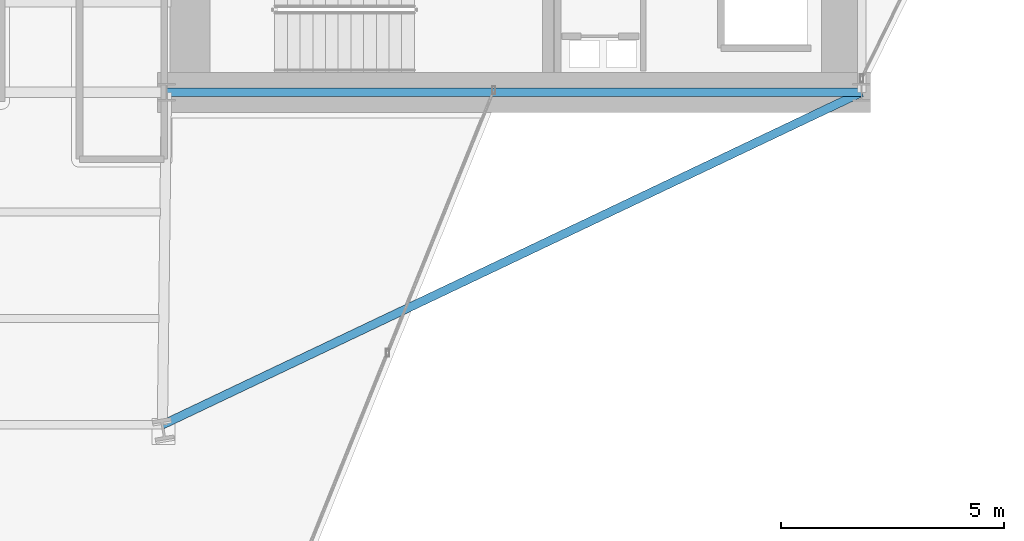
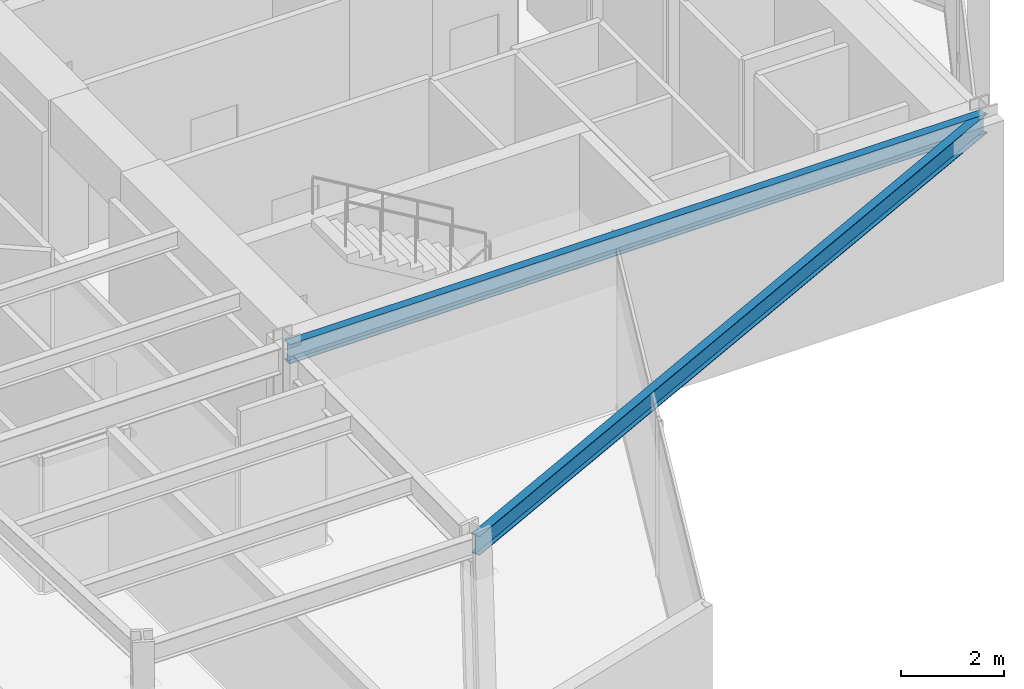
# One storey, part 15 of 31: 2 beams.
"""IFC4 building model written with IfcOpenShell, lengths in metres."""

import ifcopenshell
import ifcopenshell.guid

model = None  # the IFC model being written
_history = None  # IfcOwnerHistory: only IFC2X3 demands one
_inside = {}  # id of a spatial element -> (the spatial element, [elements in it])
_under = {}  # id of a project, library or spatial element -> (it, [spatial elements below it])
_declared = {}  # id of a project -> (the project, [libraries it declares])
_typed = {}  # id of a type object -> (the type object, [elements of that type])
_made_of = {}  # id of a material, layer set ... -> (it, [elements and type objects made of it])


def new_model(schema):
    """Start an empty IFC model of exactly this schema.

    Asked for "IFC4X3", IfcOpenShell would pick the latest addendum, in which some entities
    have other attributes; the version numbers below select the first issue.
    IFC2X3 requires an IfcOwnerHistory on every rooted entity: one is made here for all.
    """
    global model, _history
    if schema == "IFC4X3":
        model = ifcopenshell.file(schema_version=(4, 3, 0, 0))
    else:
        model = ifcopenshell.file(schema=schema)
    _inside.clear()
    _under.clear()
    _declared.clear()
    _typed.clear()
    _made_of.clear()
    _history = None
    if model.schema == "IFC2X3":
        org = make("IfcOrganization", Name="unknown")
        user = make(
            "IfcPersonAndOrganization",
            ThePerson=make("IfcPerson", FamilyName="unknown"),
            TheOrganization=org,
        )
        app = make(
            "IfcApplication",
            ApplicationDeveloper=org,
            Version="unknown",
            ApplicationFullName="unknown",
            ApplicationIdentifier="unknown",
        )
        _history = make(
            "IfcOwnerHistory",
            OwningUser=user,
            OwningApplication=app,
            ChangeAction="ADDED",
            CreationDate=0,
        )
    return model


def make(cls, **values):
    """One entity of the class cls with the attributes given. An attribute that is None is left unset."""
    return model.create_entity(
        cls, **{name: value for name, value in values.items() if value is not None}
    )


def rooted(cls, **values):
    """An entity with a GlobalId (a new one), such as an element, a storey or a relation."""
    return make(cls, GlobalId=ifcopenshell.guid.new(), OwnerHistory=_history, **values)


def si_unit(unit_type, name, prefix=None):
    """IfcSIUnit, for example si_unit("LENGTHUNIT", "METRE", prefix="MILLI")."""
    return make("IfcSIUnit", UnitType=unit_type, Prefix=prefix, Name=name)


def assignment(units):
    """IfcUnitAssignment: the units of a project."""
    return None if units is None else make("IfcUnitAssignment", Units=units)


def point(xyz):
    """IfcCartesianPoint."""
    return None if xyz is None else make("IfcCartesianPoint", Coordinates=xyz)


def direction(xyz):
    """IfcDirection."""
    return None if xyz is None else make("IfcDirection", DirectionRatios=xyz)


def frame(location, z_axis=None, x_axis=None):
    """IfcAxis2Placement3D, a coordinate frame: its origin and axes. An axis left out is left unset."""
    return make(
        "IfcAxis2Placement3D",
        Location=point(location),
        Axis=direction(z_axis),
        RefDirection=direction(x_axis),
    )


def frame_2d(location, x_axis=None):
    """IfcAxis2Placement2D, a coordinate frame in the plane: its origin and x axis."""
    return make(
        "IfcAxis2Placement2D", Location=point(location), RefDirection=direction(x_axis)
    )


def origin():
    """The frame at (0, 0, 0) with its axes left unset."""
    return frame((0.0, 0.0, 0.0))


def origin_2d():
    """The frame at (0, 0) in the plane with its x axis left unset."""
    return frame_2d((0.0, 0.0))


def place(relative_to, where):
    """IfcLocalPlacement: puts the frame where relative to a parent placement (None: the world)."""
    return make(
        "IfcLocalPlacement", PlacementRelTo=relative_to, RelativePlacement=where
    )


def context(
    kind, dimensions, precision=None, world=None, true_north=None, identifier=None
):
    """IfcGeometricRepresentationContext, for example the 3D "Model" context."""
    return make(
        "IfcGeometricRepresentationContext",
        ContextIdentifier=identifier,
        ContextType=kind,
        CoordinateSpaceDimension=dimensions,
        Precision=precision,
        WorldCoordinateSystem=world,
        TrueNorth=true_north,
    )


def subcontext(parent, identifier, kind, view, scale=None):
    """IfcGeometricRepresentationSubContext, for example "Body" below "Model"."""
    return make(
        "IfcGeometricRepresentationSubContext",
        ContextIdentifier=identifier,
        ContextType=kind,
        ParentContext=parent,
        TargetScale=scale,
        TargetView=view,
    )


def project(units=None, contexts=None):
    """IfcProject with its units and contexts."""
    return rooted(
        "IfcProject",
        Name="project",
        RepresentationContexts=contexts,
        UnitsInContext=assignment(units),
    )


def spatial(cls, under=None, at=None, **own):
    """A site, building, storey or space (cls), placed at a placement, below another one or the project."""
    s = rooted(cls, ObjectPlacement=at, **own)
    if under is not None:
        _under.setdefault(under.id(), (under, []))[1].append(s)
    return s


def profile(cls, at=None, kind="AREA", **sizes):
    """A parametric profile (cls). Its sizes go by their IFC names, for example OverallWidth=200.0."""
    return make(cls, ProfileType=kind, Position=at, **sizes)


def i_section(**sizes):
    """IfcIShapeProfileDef."""
    return profile("IfcIShapeProfileDef", **sizes)


def extrude(swept, where, along, depth):
    """IfcExtrudedAreaSolid: the profile swept, set in the frame where, extruded along a direction by depth."""
    return make(
        "IfcExtrudedAreaSolid",
        SweptArea=swept,
        Position=where,
        ExtrudedDirection=direction(along),
        Depth=depth,
    )


def shape(context_of_items, identifier, shape_type, items):
    """IfcShapeRepresentation: the items that make up one representation, for example the "Body"."""
    return make(
        "IfcShapeRepresentation",
        ContextOfItems=context_of_items,
        RepresentationIdentifier=identifier,
        RepresentationType=shape_type,
        Items=items,
    )


def material(Name=None, Category=None):
    """IfcMaterial."""
    return make("IfcMaterial", Name=Name, Category=Category)


def material_profile(
    of_material, cross_section, Name=None, Category=None, Priority=None
):
    """IfcMaterialProfile: a cross section and its material."""
    return make(
        "IfcMaterialProfile",
        Name=Name,
        Material=of_material,
        Profile=cross_section,
        Priority=Priority,
        Category=Category,
    )


def profile_set(profiles, Name=None, composite=None):
    """IfcMaterialProfileSet."""
    return make(
        "IfcMaterialProfileSet",
        Name=Name,
        MaterialProfiles=profiles,
        CompositeProfile=composite,
    )


def made_of(thing, what):
    """Note that an element or type object is made of a material, layer set ...; save() writes the relation."""
    if what is not None:
        _made_of.setdefault(what.id(), (what, []))[1].append(thing)
    return thing


def type_object(cls, material=None, **own):
    """A type object (cls), such as IfcWallType, which elements share."""
    return made_of(rooted(cls, **own), material)


def element(
    cls,
    number,
    at=None,
    inside=None,
    cuts=None,
    type_object=None,
    material=None,
    context=None,
    identifier="Body",
    shape_type=None,
    held_by="IfcProductDefinitionShape",
    body=None,
    shapes=None,
    **own,
):
    """One element of the class cls, such as IfcWall. Its Tag is "e" and its number.

    at: its placement. inside: the storey or other place that contains it. cuts: it is an
    opening in that element (IfcRelVoidsElement). A single representation is given by context,
    identifier, shape_type and body (its items); several are given by shapes. held_by: the class
    of the entity that holds the representations. save() writes the other relations.
    """
    e = rooted(cls, Tag="e%d" % number, ObjectPlacement=at, **own)
    if body is not None:
        shapes = [shape(context, identifier, shape_type, body)]
    if shapes is not None:
        e.Representation = make(held_by, Representations=shapes)
    if inside is not None:
        _inside.setdefault(inside.id(), (inside, []))[1].append(e)
    if cuts is not None:
        rooted(
            "IfcRelVoidsElement", RelatingBuildingElement=cuts, RelatedOpeningElement=e
        )
    if type_object is not None:
        _typed.setdefault(type_object.id(), (type_object, []))[1].append(e)
    return made_of(e, material)


def aggregate(whole, parts):
    """IfcRelAggregates: a whole, such as a stair, and the parts it consists of."""
    return rooted("IfcRelAggregates", RelatingObject=whole, RelatedObjects=parts)


def save(model, path):
    """Write the relations noted so far, then the file.

    IfcRelAggregates (storeys below a building ...), IfcRelContainedInSpatialStructure (elements
    in a storey), IfcRelDefinesByType, IfcRelAssociatesMaterial and IfcRelDeclares: one each for
    every whole, place, type object, material and project.
    """
    for whole, parts in _under.values():
        aggregate(whole, parts)
    for where, things in _inside.values():
        rooted(
            "IfcRelContainedInSpatialStructure",
            RelatedElements=things,
            RelatingStructure=where,
        )
    for kind, things in _typed.values():
        rooted("IfcRelDefinesByType", RelatedObjects=things, RelatingType=kind)
    for what, things in _made_of.values():
        rooted("IfcRelAssociatesMaterial", RelatedObjects=things, RelatingMaterial=what)
    for by, libraries in _declared.values():
        rooted("IfcRelDeclares", RelatingContext=by, RelatedDefinitions=libraries)
    model.write(path)


model = new_model("IFC4")

# Units and contexts
model_context = context("Model", 3, precision=1e-05, world=origin(), true_north=direction((0.0, 1.0)))
body_context = subcontext(model_context, "Body", "Model", "MODEL_VIEW")
ifc_project = project(units=[si_unit("LENGTHUNIT", "METRE"), si_unit("AREAUNIT", "SQUARE_METRE"), si_unit("VOLUMEUNIT", "CUBIC_METRE"), si_unit("PLANEANGLEUNIT", "RADIAN"), si_unit("MASSUNIT", "GRAM", prefix="KILO")], contexts=[model_context])

# Site, building, storey
site_placement = place(None, origin())
site = spatial("IfcSite", under=ifc_project, at=site_placement, CompositionType="ELEMENT")
building_placement = place(site_placement, origin())
building = spatial("IfcBuilding", under=site, at=building_placement, Name="Veymaron Broadcast Tower", CompositionType="ELEMENT")
storey_placement = place(building_placement, frame((0.0, 0.0, 70.199951171875)))
storey = spatial("IfcBuildingStorey", under=building, at=storey_placement, Name="L15", CompositionType="ELEMENT", Elevation=70.199951171875)

# Beams
ifc_material = material(Name="Structural steel ASTM A992 Gr 50", Category="steel")
ifc_material_profile = material_profile(ifc_material, i_section(OverallWidth=0.19091796875, OverallDepth=0.4599609375, WebThickness=0.010009765625, FlangeThickness=0.01611328125, at=origin_2d()), Name="W460X82")
ifc_profile_set = profile_set([ifc_material_profile], Name="Structural steel ASTM A992 Gr 50")
beam_type = type_object("IfcBeamType", Name="BM-SP1", PredefinedType="SPANDREL", material=ifc_profile_set)
beam_1_placement = place(storey_placement, frame((39.0, 16.0, 3.580078125), z_axis=(1.0, 0.0, 0.0), x_axis=(0.0, 1.0, 0.0)))
element("IfcBeam", 1, at=beam_1_placement, inside=storey, type_object=beam_type, Name="L15 primary structural floor girder", PredefinedType="SPANDREL", context=body_context, shape_type="SweptSolid", body=[
    extrude(i_section(OverallWidth=0.19091796875, OverallDepth=0.4599609375, WebThickness=0.010009765625, FlangeThickness=0.01611328125, at=origin_2d()), origin(), (0.0, 0.0, 1.0), 15.60009765625),
])
beam_2_placement = place(storey_placement, frame((54.60009765625, 16.0, 3.580078125), z_axis=(-0.903118549841, -0.429391295828, 0.0), x_axis=(0.429391295828, -0.903118549841, 0.0)))
element("IfcBeam", 2, at=beam_2_placement, inside=storey, type_object=beam_type, Name="L15 primary structural floor girder", PredefinedType="SPANDREL", context=body_context, shape_type="SweptSolid", body=[
    extrude(i_section(OverallWidth=0.19091796875, OverallDepth=0.4599609375, WebThickness=0.010009765625, FlangeThickness=0.01611328125, at=origin_2d()), origin(), (0.0, 0.0, 1.0), 17.373291015625),
])

save(model, "model.ifc")
